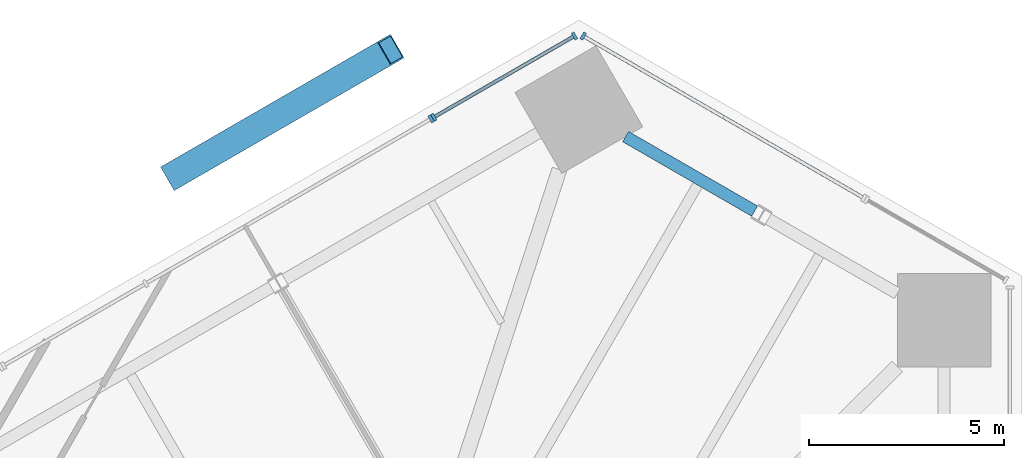
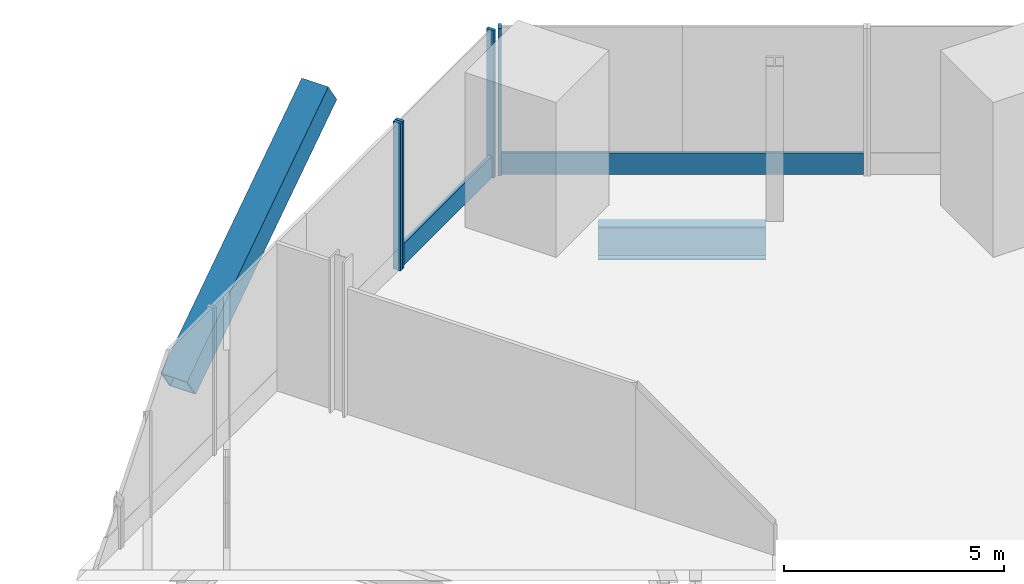
# One storey, part 8 of 17: 7 members, 1 beam, 3 elements without a shape of their own.
"""IFC4 building model written with IfcOpenShell, lengths in metres."""

import ifcopenshell
import ifcopenshell.guid

model = None  # the IFC model being written
_history = None  # IfcOwnerHistory: only IFC2X3 demands one
_inside = {}  # id of a spatial element -> (the spatial element, [elements in it])
_under = {}  # id of a project, library or spatial element -> (it, [spatial elements below it])
_declared = {}  # id of a project -> (the project, [libraries it declares])
_typed = {}  # id of a type object -> (the type object, [elements of that type])
_made_of = {}  # id of a material, layer set ... -> (it, [elements and type objects made of it])


def new_model(schema):
    """Start an empty IFC model of exactly this schema.

    Asked for "IFC4X3", IfcOpenShell would pick the latest addendum, in which some entities
    have other attributes; the version numbers below select the first issue.
    IFC2X3 requires an IfcOwnerHistory on every rooted entity: one is made here for all.
    """
    global model, _history
    if schema == "IFC4X3":
        model = ifcopenshell.file(schema_version=(4, 3, 0, 0))
    else:
        model = ifcopenshell.file(schema=schema)
    _inside.clear()
    _under.clear()
    _declared.clear()
    _typed.clear()
    _made_of.clear()
    _history = None
    if model.schema == "IFC2X3":
        org = make("IfcOrganization", Name="unknown")
        user = make(
            "IfcPersonAndOrganization",
            ThePerson=make("IfcPerson", FamilyName="unknown"),
            TheOrganization=org,
        )
        app = make(
            "IfcApplication",
            ApplicationDeveloper=org,
            Version="unknown",
            ApplicationFullName="unknown",
            ApplicationIdentifier="unknown",
        )
        _history = make(
            "IfcOwnerHistory",
            OwningUser=user,
            OwningApplication=app,
            ChangeAction="ADDED",
            CreationDate=0,
        )
    return model


def make(cls, **values):
    """One entity of the class cls with the attributes given. An attribute that is None is left unset."""
    return model.create_entity(
        cls, **{name: value for name, value in values.items() if value is not None}
    )


def rooted(cls, **values):
    """An entity with a GlobalId (a new one), such as an element, a storey or a relation."""
    return make(cls, GlobalId=ifcopenshell.guid.new(), OwnerHistory=_history, **values)


def si_unit(unit_type, name, prefix=None):
    """IfcSIUnit, for example si_unit("LENGTHUNIT", "METRE", prefix="MILLI")."""
    return make("IfcSIUnit", UnitType=unit_type, Prefix=prefix, Name=name)


def assignment(units):
    """IfcUnitAssignment: the units of a project."""
    return None if units is None else make("IfcUnitAssignment", Units=units)


def point(xyz):
    """IfcCartesianPoint."""
    return None if xyz is None else make("IfcCartesianPoint", Coordinates=xyz)


def direction(xyz):
    """IfcDirection."""
    return None if xyz is None else make("IfcDirection", DirectionRatios=xyz)


def frame(location, z_axis=None, x_axis=None):
    """IfcAxis2Placement3D, a coordinate frame: its origin and axes. An axis left out is left unset."""
    return make(
        "IfcAxis2Placement3D",
        Location=point(location),
        Axis=direction(z_axis),
        RefDirection=direction(x_axis),
    )


def frame_2d(location, x_axis=None):
    """IfcAxis2Placement2D, a coordinate frame in the plane: its origin and x axis."""
    return make(
        "IfcAxis2Placement2D", Location=point(location), RefDirection=direction(x_axis)
    )


def origin():
    """The frame at (0, 0, 0) with its axes left unset."""
    return frame((0.0, 0.0, 0.0))


def origin_2d():
    """The frame at (0, 0) in the plane with its x axis left unset."""
    return frame_2d((0.0, 0.0))


def place(relative_to, where):
    """IfcLocalPlacement: puts the frame where relative to a parent placement (None: the world)."""
    return make(
        "IfcLocalPlacement", PlacementRelTo=relative_to, RelativePlacement=where
    )


def context(
    kind, dimensions, precision=None, world=None, true_north=None, identifier=None
):
    """IfcGeometricRepresentationContext, for example the 3D "Model" context."""
    return make(
        "IfcGeometricRepresentationContext",
        ContextIdentifier=identifier,
        ContextType=kind,
        CoordinateSpaceDimension=dimensions,
        Precision=precision,
        WorldCoordinateSystem=world,
        TrueNorth=true_north,
    )


def subcontext(parent, identifier, kind, view, scale=None):
    """IfcGeometricRepresentationSubContext, for example "Body" below "Model"."""
    return make(
        "IfcGeometricRepresentationSubContext",
        ContextIdentifier=identifier,
        ContextType=kind,
        ParentContext=parent,
        TargetScale=scale,
        TargetView=view,
    )


def project(units=None, contexts=None):
    """IfcProject with its units and contexts."""
    return rooted(
        "IfcProject",
        Name="project",
        RepresentationContexts=contexts,
        UnitsInContext=assignment(units),
    )


def spatial(cls, under=None, at=None, **own):
    """A site, building, storey or space (cls), placed at a placement, below another one or the project."""
    s = rooted(cls, ObjectPlacement=at, **own)
    if under is not None:
        _under.setdefault(under.id(), (under, []))[1].append(s)
    return s


def profile(cls, at=None, kind="AREA", **sizes):
    """A parametric profile (cls). Its sizes go by their IFC names, for example OverallWidth=200.0."""
    return make(cls, ProfileType=kind, Position=at, **sizes)


def rectangle(**sizes):
    """IfcRectangleProfileDef."""
    return profile("IfcRectangleProfileDef", **sizes)


def hollow_rectangle(**sizes):
    """IfcRectangleHollowProfileDef."""
    return profile("IfcRectangleHollowProfileDef", **sizes)


def i_section(**sizes):
    """IfcIShapeProfileDef."""
    return profile("IfcIShapeProfileDef", **sizes)


def extrude(swept, where, along, depth):
    """IfcExtrudedAreaSolid: the profile swept, set in the frame where, extruded along a direction by depth."""
    return make(
        "IfcExtrudedAreaSolid",
        SweptArea=swept,
        Position=where,
        ExtrudedDirection=direction(along),
        Depth=depth,
    )


def shape(context_of_items, identifier, shape_type, items):
    """IfcShapeRepresentation: the items that make up one representation, for example the "Body"."""
    return make(
        "IfcShapeRepresentation",
        ContextOfItems=context_of_items,
        RepresentationIdentifier=identifier,
        RepresentationType=shape_type,
        Items=items,
    )


def source(mapping_origin, context_of_items, identifier, shape_type, items):
    """IfcRepresentationMap: a shape defined once, which mapped items show again and again."""
    return make(
        "IfcRepresentationMap",
        MappingOrigin=mapping_origin,
        MappedRepresentation=shape(context_of_items, identifier, shape_type, items),
    )


def transform(
    local_origin,
    x_axis=None,
    y_axis=None,
    z_axis=None,
    scale=None,
    scale2=None,
    scale3=None,
    uniform=True,
):
    """IfcCartesianTransformationOperator3D, or its non-uniform kind. x_axis, y_axis, z_axis: its Axis1, 2, 3."""
    if uniform:
        return make(
            "IfcCartesianTransformationOperator3D",
            Axis1=direction(x_axis),
            Axis2=direction(y_axis),
            LocalOrigin=point(local_origin),
            Scale=scale,
            Axis3=direction(z_axis),
        )
    return make(
        "IfcCartesianTransformationOperator3DnonUniform",
        Axis1=direction(x_axis),
        Axis2=direction(y_axis),
        LocalOrigin=point(local_origin),
        Scale=scale,
        Axis3=direction(z_axis),
        Scale2=scale2,
        Scale3=scale3,
    )


def mapped(mapping_source, mapping_target):
    """IfcMappedItem: shows the shape of a source again, moved by a transform."""
    return make(
        "IfcMappedItem", MappingSource=mapping_source, MappingTarget=mapping_target
    )


def material(Name=None, Category=None):
    """IfcMaterial."""
    return make("IfcMaterial", Name=Name, Category=Category)


def material_profile(
    of_material, cross_section, Name=None, Category=None, Priority=None
):
    """IfcMaterialProfile: a cross section and its material."""
    return make(
        "IfcMaterialProfile",
        Name=Name,
        Material=of_material,
        Profile=cross_section,
        Priority=Priority,
        Category=Category,
    )


def profile_set(profiles, Name=None, composite=None):
    """IfcMaterialProfileSet."""
    return make(
        "IfcMaterialProfileSet",
        Name=Name,
        MaterialProfiles=profiles,
        CompositeProfile=composite,
    )


def made_of(thing, what):
    """Note that an element or type object is made of a material, layer set ...; save() writes the relation."""
    if what is not None:
        _made_of.setdefault(what.id(), (what, []))[1].append(thing)
    return thing


def type_object(cls, material=None, **own):
    """A type object (cls), such as IfcWallType, which elements share."""
    return made_of(rooted(cls, **own), material)


def element(
    cls,
    number,
    at=None,
    inside=None,
    cuts=None,
    type_object=None,
    material=None,
    context=None,
    identifier="Body",
    shape_type=None,
    held_by="IfcProductDefinitionShape",
    body=None,
    shapes=None,
    **own,
):
    """One element of the class cls, such as IfcWall. Its Tag is "e" and its number.

    at: its placement. inside: the storey or other place that contains it. cuts: it is an
    opening in that element (IfcRelVoidsElement). A single representation is given by context,
    identifier, shape_type and body (its items); several are given by shapes. held_by: the class
    of the entity that holds the representations. save() writes the other relations.
    """
    e = rooted(cls, Tag="e%d" % number, ObjectPlacement=at, **own)
    if body is not None:
        shapes = [shape(context, identifier, shape_type, body)]
    if shapes is not None:
        e.Representation = make(held_by, Representations=shapes)
    if inside is not None:
        _inside.setdefault(inside.id(), (inside, []))[1].append(e)
    if cuts is not None:
        rooted(
            "IfcRelVoidsElement", RelatingBuildingElement=cuts, RelatedOpeningElement=e
        )
    if type_object is not None:
        _typed.setdefault(type_object.id(), (type_object, []))[1].append(e)
    return made_of(e, material)


def aggregate(whole, parts):
    """IfcRelAggregates: a whole, such as a stair, and the parts it consists of."""
    return rooted("IfcRelAggregates", RelatingObject=whole, RelatedObjects=parts)


def save(model, path):
    """Write the relations noted so far, then the file.

    IfcRelAggregates (storeys below a building ...), IfcRelContainedInSpatialStructure (elements
    in a storey), IfcRelDefinesByType, IfcRelAssociatesMaterial and IfcRelDeclares: one each for
    every whole, place, type object, material and project.
    """
    for whole, parts in _under.values():
        aggregate(whole, parts)
    for where, things in _inside.values():
        rooted(
            "IfcRelContainedInSpatialStructure",
            RelatedElements=things,
            RelatingStructure=where,
        )
    for kind, things in _typed.values():
        rooted("IfcRelDefinesByType", RelatedObjects=things, RelatingType=kind)
    for what, things in _made_of.values():
        rooted("IfcRelAssociatesMaterial", RelatedObjects=things, RelatingMaterial=what)
    for by, libraries in _declared.values():
        rooted("IfcRelDeclares", RelatingContext=by, RelatedDefinitions=libraries)
    model.write(path)


model = new_model("IFC4")

# Units and contexts
model_context = context("Model", 3, precision=1e-05, world=origin(), true_north=direction((0.0, 1.0)))
body_context = subcontext(model_context, "Body", "Model", "MODEL_VIEW")
ifc_project = project(units=[si_unit("LENGTHUNIT", "METRE"), si_unit("AREAUNIT", "SQUARE_METRE"), si_unit("VOLUMEUNIT", "CUBIC_METRE"), si_unit("PLANEANGLEUNIT", "RADIAN"), si_unit("MASSUNIT", "GRAM", prefix="KILO")], contexts=[model_context])

# Site, building, storey
site_placement = place(None, origin())
site = spatial("IfcSite", under=ifc_project, at=site_placement, CompositionType="ELEMENT")
building_placement = place(site_placement, origin())
building = spatial("IfcBuilding", under=site, at=building_placement, Name="Triune Harvest Tower", CompositionType="ELEMENT")
storey_placement = place(building_placement, frame((0.0, 0.0, 46.10009765625)))
storey = spatial("IfcBuildingStorey", under=building, at=storey_placement, Name="L10", CompositionType="ELEMENT", Elevation=46.10009765625)

# Beam
ifc_material_1 = material(Name="Steel ASTM A992 Gr 50", Category="steel")
ifc_material_profile_1 = material_profile(ifc_material_1, i_section(OverallWidth=0.3046875, OverallDepth=0.914306640625, WebThickness=0.0166015625, FlangeThickness=0.02587890625, at=origin_2d()), Name="W36x160")
ifc_profile_set_1 = profile_set([ifc_material_profile_1], Name="Steel ASTM A992 Gr 50")
beam_type = type_object("IfcBeamType", Name="SB-1 Spandrel beam W36x160", PredefinedType="SPANDREL", material=ifc_profile_set_1)
shared_shape_1 = source(origin(), body_context, "Body", "SweptSolid", [
    extrude(i_section(OverallWidth=0.3046875, OverallDepth=0.914306640625, WebThickness=0.0166015625, FlangeThickness=0.02587890625, at=origin_2d()), origin(), (0.0, 0.0, 1.0), 3.822509765625),
])
beam_placement = place(storey_placement, frame((16.8193359375, 29.535888671875, -0.6572265625), z_axis=(-0.866005830769, 0.500033899925, 0.0), x_axis=(-0.500033899925, -0.866005830769, 0.0)))
element("IfcBeam", 1, at=beam_placement, inside=storey, type_object=beam_type, Name="beam/L10/SB8", PredefinedType="SPANDREL", context=body_context, shape_type="MappedRepresentation", body=[
    mapped(shared_shape_1, transform((0.0, 0.0, 0.0), scale=1.0)),
])

# Member
ifc_material_2 = material(Name="Steel ASTM A572 Gr 50", Category="steel")
ifc_material_profile_2 = material_profile(ifc_material_2, hollow_rectangle(XDim=0.699951171875, YDim=0.699951171875, WallThickness=0.0400390625, at=origin_2d()), Name="Box 700x700x40")
ifc_profile_set_2 = profile_set([ifc_material_profile_2], Name="Steel ASTM A572 Gr 50")
member_type_1 = type_object("IfcMemberType", Name="BR-1 Brace Box 700x700x40", PredefinedType="BRACE", material=ifc_profile_set_2)
shared_shape_2 = source(origin(), body_context, "Body", "SweptSolid", [
    extrude(hollow_rectangle(XDim=0.699951171875, YDim=0.699951171875, WallThickness=0.0400390625, at=origin_2d()), origin(), (0.0, 0.0, 1.0), 7.728515625),
])
member_1_placement = place(storey_placement, frame((1.919677734375, 30.46240234375, 0.0), z_axis=(0.719616664562, 0.41546963882, 0.556360346631), x_axis=(-0.499998884236, 0.86602604797, 0.0)))
element("IfcMember", 2, at=member_1_placement, inside=storey, type_object=member_type_1, Name="brace/B1-F3/d2/8", PredefinedType="BRACE", context=body_context, shape_type="MappedRepresentation", body=[
    mapped(shared_shape_2, transform((0.0, 0.0, 0.0), scale=1.0)),
])

# Curtain wall, member
ifc_material_3 = material(Name="Aluminium bronze anodised", Category="aluminium")
curtain_wall_type_1 = type_object("IfcCurtainWallType", Name="CW-8 Farm floor curtain wall with insulated spandrel infill", PredefinedType="NOTDEFINED", material=ifc_material_3)
curtain_wall_1_placement = place(storey_placement, origin())
curtain_wall_1 = element("IfcCurtainWall", 3, at=curtain_wall_1_placement, inside=storey, type_object=curtain_wall_type_1, Name="CW-8 B1-F2 L10 run 1001")
ifc_material_4 = material(Name="Aluminium bronze anodised", Category="aluminium")
ifc_material_profile_3 = material_profile(ifc_material_4, rectangle(XDim=0.199951171875, YDim=0.080078125, at=origin_2d()), Name="MU-3 mullion 80 x 200")
ifc_profile_set_3 = profile_set([ifc_material_profile_3], Name="Aluminium bronze anodised")
member_type_2 = type_object("IfcMemberType", Name="MU-3 mullion 80 x 200", PredefinedType="MULLION", material=ifc_profile_set_3)
shared_shape_3 = source(origin(), body_context, "Body", "SweptSolid", [
    extrude(rectangle(XDim=0.199951171875, YDim=0.080078125, at=origin_2d()), origin(), (0.0, 0.0, 1.0), 4.099853515625),
])
member_2_placement = place(storey_placement, frame((12.421630859375, 34.028564453125, 0.0), z_axis=(0.0, 0.0, 1.0), x_axis=(-0.500000961283, -0.866024848787, 0.0)))
member_2 = element("IfcMember", 4, at=member_2_placement, type_object=member_type_2, Name="CW-8 mullion B1-F2 1001.3", PredefinedType="MULLION", context=body_context, shape_type="MappedRepresentation", body=[
    mapped(shared_shape_3, transform((0.0, 0.0, 0.0), scale=1.0)),
])

# Curtain wall, members
ifc_material_5 = material(Name="Aluminium bronze anodised", Category="aluminium")
curtain_wall_type_2 = type_object("IfcCurtainWallType", Name="CW-3 Farm floor curtain wall", PredefinedType="NOTDEFINED", material=ifc_material_5)
curtain_wall_2_placement = place(storey_placement, origin())
curtain_wall_2 = element("IfcCurtainWall", 5, at=curtain_wall_2_placement, inside=storey, type_object=curtain_wall_type_2, Name="CW-3 B1-F3 L10 run 1")
member_3_placement = place(storey_placement, frame((12.196533203125, 34.028564453125, 0.0), z_axis=(0.0, 0.0, 1.0), x_axis=(0.500001125719, -0.866024753849, 0.0)))
member_3 = element("IfcMember", 6, at=member_3_placement, type_object=member_type_2, Name="CW-3 mullion B1-F3 1.1", PredefinedType="MULLION", context=body_context, shape_type="MappedRepresentation", body=[
    mapped(shared_shape_3, transform((0.0, 0.0, 0.0), scale=1.0)),
])
member_4_placement = place(storey_placement, frame((8.586181640625, 31.944091796875, 0.0), z_axis=(0.0, 0.0, 1.0), x_axis=(0.500001125719, -0.866024753849, 0.0)))
member_4 = element("IfcMember", 7, at=member_4_placement, type_object=member_type_2, Name="CW-3 mullion B1-F3 1.2", PredefinedType="MULLION", context=body_context, shape_type="MappedRepresentation", body=[
    mapped(shared_shape_3, transform((0.0, 0.0, 0.0), scale=1.0)),
])

# Curtain wall, member
curtain_wall_3_placement = place(storey_placement, origin())
curtain_wall_3 = element("IfcCurtainWall", 8, at=curtain_wall_3_placement, inside=storey, type_object=curtain_wall_type_1, Name="CW-8 B1-F3 L10 run 1001")
member_5_placement = place(storey_placement, frame((8.516845703125, 31.904296875, 0.0), z_axis=(0.0, 0.0, 1.0), x_axis=(0.500001121139, -0.866024756493, 0.0)))
member_5 = element("IfcMember", 9, at=member_5_placement, type_object=member_type_2, Name="CW-8 mullion B1-F3 1001.1", PredefinedType="MULLION", context=body_context, shape_type="MappedRepresentation", body=[
    mapped(shared_shape_3, transform((0.0, 0.0, 0.0), scale=1.0)),
])
aggregate(curtain_wall_3, [member_5])

# Member
ifc_material_6 = material(Name="Aluminium bronze anodised", Category="aluminium")
ifc_material_profile_4 = material_profile(ifc_material_6, rectangle(XDim=0.090087890625, YDim=0.60009765625, at=origin_2d()), Name="TR-3 transom 90 x 600")
ifc_profile_set_4 = profile_set([ifc_material_profile_4], Name="Aluminium bronze anodised")
member_type_3 = type_object("IfcMemberType", Name="TR-3 transom 90 x 600", PredefinedType="USERDEFINED", material=ifc_profile_set_4)
shared_shape_4 = source(origin(), body_context, "Body", "SweptSolid", [
    extrude(rectangle(XDim=0.090087890625, YDim=0.60009765625, at=origin_2d()), origin(), (0.0, 0.0, 1.0), 4.0888671875),
])
member_6_placement = place(storey_placement, frame((12.161865234375, 34.008544921875, 0.2998046875), z_axis=(-0.866022515895, -0.500005001938, 0.0), x_axis=(0.500005001938, -0.866022515895, 0.0)))
member_6 = element("IfcMember", 10, at=member_6_placement, type_object=member_type_3, Name="CW-3 transom B1-F3 1.1", ObjectType="TRANSOM", PredefinedType="USERDEFINED", context=body_context, shape_type="MappedRepresentation", body=[
    mapped(shared_shape_4, transform((0.0, 0.0, 0.0), scale=1.0)),
])

aggregate(curtain_wall_2, [member_3, member_4, member_6])

shared_shape_5 = source(origin(), body_context, "Body", "SweptSolid", [
    extrude(rectangle(XDim=0.090087890625, YDim=0.60009765625, at=origin_2d()), origin(), (0.0, 0.0, 1.0), 8.23583984375),
])
member_7_placement = place(storey_placement, frame((19.588623046875, 29.890625, 0.2998046875), z_axis=(-0.866021691054, 0.500006430582, 0.0), x_axis=(-0.500006430582, -0.866021691054, 0.0)))
member_7 = element("IfcMember", 11, at=member_7_placement, type_object=member_type_3, Name="CW-8 transom B1-F2 1001.1", ObjectType="TRANSOM", PredefinedType="USERDEFINED", context=body_context, shape_type="MappedRepresentation", body=[
    mapped(shared_shape_5, transform((0.0, 0.0, 0.0), scale=1.0)),
])

aggregate(curtain_wall_1, [member_2, member_7])

save(model, "model.ifc")
